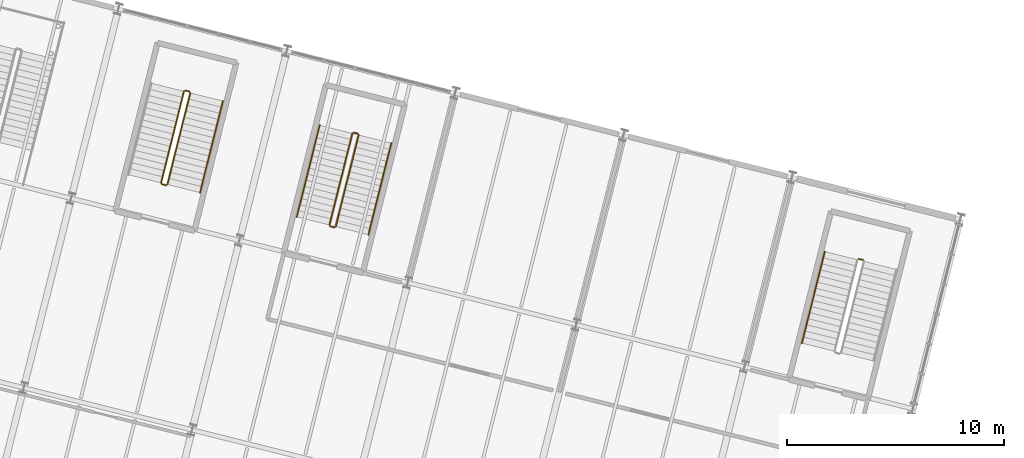
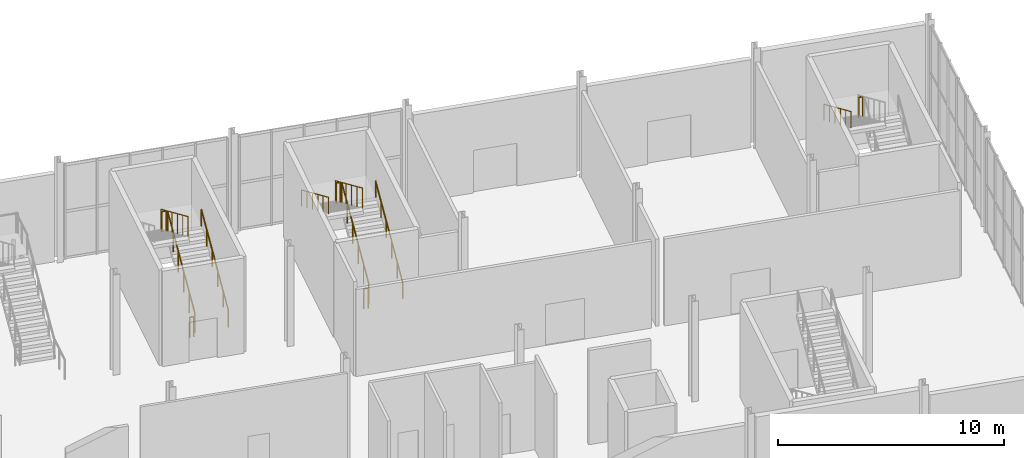
# One storey, part 157 of 158: 13 railings.
"""IFC4 building model written with IfcOpenShell, lengths in metres."""

from ifc_helpers import new_model, si_unit, derived_unit, direction, frame, origin, origin_2d, place, context, subcontext, project, spatial, circle, extrude, material, type_object, element, save


model = new_model("IFC4")

# Units and contexts
model_context = context("Model", 3, precision=1e-05, world=origin(), true_north=direction((0.0, 1.0)))
body_context = subcontext(model_context, "Body", "Model", "MODEL_VIEW")
ifc_project = project(units=[si_unit("LENGTHUNIT", "METRE"), si_unit("AREAUNIT", "SQUARE_METRE"), si_unit("VOLUMEUNIT", "CUBIC_METRE"), si_unit("PLANEANGLEUNIT", "RADIAN"), si_unit("MASSUNIT", "GRAM", prefix="KILO"), si_unit("THERMODYNAMICTEMPERATUREUNIT", "KELVIN"), si_unit("TIMEUNIT", "SECOND"), derived_unit("THERMALTRANSMITTANCEUNIT", [(si_unit("MASSUNIT", "GRAM", prefix="KILO"), 1), (si_unit("THERMODYNAMICTEMPERATUREUNIT", "KELVIN"), -1), (si_unit("TIMEUNIT", "SECOND"), -3)])], contexts=[model_context])

# Site, building, storey
site_placement = place(None, origin())
site = spatial("IfcSite", under=ifc_project, at=site_placement, CompositionType="ELEMENT")
building_placement = place(site_placement, origin())
building = spatial("IfcBuilding", under=site, at=building_placement, Name="Cambertide Market Hall", CompositionType="ELEMENT")
storey_placement = place(building_placement, origin())
storey = spatial("IfcBuildingStorey", under=building, at=storey_placement, Name="L01", CompositionType="ELEMENT", Elevation=0.0)

# Railings
ifc_material_1 = material(Name="Stainless Steel Grade 316", Category="metal")
railing_type_1 = type_object("IfcRailingType", Name="Stair Wall Handrail 900", PredefinedType="HANDRAIL", material=ifc_material_1)
railing_1_placement = place(storey_placement, frame((141.591064453125, 111.908447265625, 0.168701171875)))
element("IfcRailing", 1, at=railing_1_placement, inside=storey, type_object=railing_type_1, Name="Level 1 ST-07B stair handrail 1", PredefinedType="HANDRAIL", context=body_context, shape_type="SweptSolid", body=[
    extrude(circle(Radius=0.02392578125, at=origin_2d()), frame((0.0, 0.0, 0.8759765625), z_axis=(0.209652504363, 0.838513001022, 0.50293317104), x_axis=(-0.970135897123, 0.242562035599, 0.0)), (0.0, 0.0, 1.0), 5.032958984375),
    extrude(circle(Radius=0.02099609375, at=origin_2d()), origin(), (0.0, 0.0, 1.0), 0.851806640625),
    extrude(circle(Radius=0.02099609375, at=origin_2d()), frame((0.2109375, 0.843994140625, 0.50634765625)), (0.0, 0.0, 1.0), 0.851806640625),
    extrude(circle(Radius=0.02099609375, at=origin_2d()), frame((0.422119140625, 1.68798828125, 1.012451171875)), (0.0, 0.0, 1.0), 0.851806640625),
    extrude(circle(Radius=0.02099609375, at=origin_2d()), frame((0.633056640625, 2.5322265625, 1.518798828125)), (0.0, 0.0, 1.0), 0.851806640625),
    extrude(circle(Radius=0.02099609375, at=origin_2d()), frame((0.84423828125, 3.376220703125, 2.02490234375)), (0.0, 0.0, 1.0), 0.851806640625),
    extrude(circle(Radius=0.02099609375, at=origin_2d()), frame((1.05517578125, 4.22021484375, 2.53125)), (0.0, 0.0, 1.0), 0.851806640625),
])
railing_2_placement = place(storey_placement, frame((170.392333984375, 109.192138671875, 2.86865234375)))
element("IfcRailing", 2, at=railing_2_placement, inside=storey, type_object=railing_type_1, Name="Level 1 ST-08B stair handrail 2", PredefinedType="HANDRAIL", context=body_context, shape_type="SweptSolid", body=[
    extrude(circle(Radius=0.02392578125, at=origin_2d()), frame((0.0, 0.0, 0.8759765625), z_axis=(-0.209652504363, -0.838513001022, 0.50293317104), x_axis=(0.970135897123, -0.242562035599, 0.0)), (0.0, 0.0, 1.0), 5.032958984375),
    extrude(circle(Radius=0.02099609375, at=origin_2d()), origin(), (0.0, 0.0, 1.0), 0.851806640625),
    extrude(circle(Radius=0.02099609375, at=origin_2d()), frame((-0.2109375, -0.843994140625, 0.50634765625)), (0.0, 0.0, 1.0), 0.851806640625),
    extrude(circle(Radius=0.02099609375, at=origin_2d()), frame((-0.422119140625, -1.68798828125, 1.012451171875)), (0.0, 0.0, 1.0), 0.851806640625),
    extrude(circle(Radius=0.02099609375, at=origin_2d()), frame((-0.633056640625, -2.5322265625, 1.518798828125)), (0.0, 0.0, 1.0), 0.851806640625),
    extrude(circle(Radius=0.02099609375, at=origin_2d()), frame((-0.84423828125, -3.376220703125, 2.02490234375)), (0.0, 0.0, 1.0), 0.851806640625),
    extrude(circle(Radius=0.02099609375, at=origin_2d()), frame((-1.05517578125, -4.22021484375, 2.53125)), (0.0, 0.0, 1.0), 0.851806640625),
])
railing_3_placement = place(storey_placement, frame((149.352294921875, 109.96826171875, 0.168701171875)))
element("IfcRailing", 3, at=railing_3_placement, inside=storey, type_object=railing_type_1, Name="Level 1 ST-09 stair handrail 1", PredefinedType="HANDRAIL", context=body_context, shape_type="SweptSolid", body=[
    extrude(circle(Radius=0.02392578125, at=origin_2d()), frame((0.0, 0.0, 0.8759765625), z_axis=(0.209661032204, 0.838498598251, 0.502953628387), x_axis=(-0.970132594802, 0.24257524297, 0.0)), (0.0, 0.0, 1.0), 5.03271484375),
    extrude(circle(Radius=0.02099609375, at=origin_2d()), origin(), (0.0, 0.0, 1.0), 0.851806640625),
    extrude(circle(Radius=0.02099609375, at=origin_2d()), frame((0.2109375, 0.843994140625, 0.50634765625)), (0.0, 0.0, 1.0), 0.851806640625),
    extrude(circle(Radius=0.02099609375, at=origin_2d()), frame((0.422119140625, 1.68798828125, 1.012451171875)), (0.0, 0.0, 1.0), 0.851806640625),
    extrude(circle(Radius=0.02099609375, at=origin_2d()), frame((0.633056640625, 2.531982421875, 1.518798828125)), (0.0, 0.0, 1.0), 0.851806640625),
    extrude(circle(Radius=0.02099609375, at=origin_2d()), frame((0.84423828125, 3.3759765625, 2.02490234375)), (0.0, 0.0, 1.0), 0.851806640625),
    extrude(circle(Radius=0.02099609375, at=origin_2d()), frame((1.05517578125, 4.219970703125, 2.53125)), (0.0, 0.0, 1.0), 0.851806640625),
])
railing_4_placement = place(storey_placement, frame((147.10888671875, 115.012939453125, 2.86865234375)))
element("IfcRailing", 4, at=railing_4_placement, inside=storey, type_object=railing_type_1, Name="Level 1 ST-09 stair handrail 2", PredefinedType="HANDRAIL", context=body_context, shape_type="SweptSolid", body=[
    extrude(circle(Radius=0.02392578125, at=origin_2d()), frame((0.0, 0.0, 0.8759765625), z_axis=(-0.209606127579, -0.838521527732, 0.50293828529), x_axis=(0.970149102539, -0.242509213934, 0.0)), (0.0, 0.0, 1.0), 5.032958984375),
    extrude(circle(Radius=0.02099609375, at=origin_2d()), origin(), (0.0, 0.0, 1.0), 0.851806640625),
    extrude(circle(Radius=0.02099609375, at=origin_2d()), frame((-0.2109375, -0.843994140625, 0.50634765625)), (0.0, 0.0, 1.0), 0.851806640625),
    extrude(circle(Radius=0.02099609375, at=origin_2d()), frame((-0.421875, -1.68798828125, 1.012451171875)), (0.0, 0.0, 1.0), 0.851806640625),
    extrude(circle(Radius=0.02099609375, at=origin_2d()), frame((-0.633056640625, -2.5322265625, 1.518798828125)), (0.0, 0.0, 1.0), 0.851806640625),
    extrude(circle(Radius=0.02099609375, at=origin_2d()), frame((-0.843994140625, -3.376220703125, 2.02490234375)), (0.0, 0.0, 1.0), 0.851806640625),
    extrude(circle(Radius=0.02099609375, at=origin_2d()), frame((-1.054931640625, -4.22021484375, 2.53125)), (0.0, 0.0, 1.0), 0.851806640625),
])
ifc_material_2 = material(Name="Stainless Steel Grade 316", Category="metal")
railing_type_2 = type_object("IfcRailingType", Name="Stairwell Inner Guardrail 1100", PredefinedType="GUARDRAIL", material=ifc_material_2)
railing_5_placement = place(storey_placement, frame((140.08740234375, 112.284423828125, 0.168701171875)))
element("IfcRailing", 5, at=railing_5_placement, inside=storey, type_object=railing_type_2, Name="Level 1 ST-07B stair guard 1", PredefinedType="GUARDRAIL", context=body_context, shape_type="SweptSolid", body=[
    extrude(circle(Radius=0.02392578125, at=origin_2d()), frame((0.0, 0.0, 1.076171875), z_axis=(0.209652504363, 0.838513001022, 0.50293317104), x_axis=(-0.970135897123, 0.242562035599, 0.0)), (0.0, 0.0, 1.0), 5.032958984375),
    extrude(circle(Radius=0.02099609375, at=origin_2d()), origin(), (0.0, 0.0, 1.0), 1.052001953125),
    extrude(circle(Radius=0.02099609375, at=origin_2d()), frame((0.2109375, 0.843994140625, 0.50634765625)), (0.0, 0.0, 1.0), 1.052001953125),
    extrude(circle(Radius=0.02099609375, at=origin_2d()), frame((0.422119140625, 1.68798828125, 1.012451171875)), (0.0, 0.0, 1.0), 1.052001953125),
    extrude(circle(Radius=0.02099609375, at=origin_2d()), frame((0.633056640625, 2.5322265625, 1.518798828125)), (0.0, 0.0, 1.0), 1.052001953125),
    extrude(circle(Radius=0.02099609375, at=origin_2d()), frame((0.84423828125, 3.376220703125, 2.02490234375)), (0.0, 0.0, 1.0), 1.052001953125),
    extrude(circle(Radius=0.02099609375, at=origin_2d()), frame((1.05517578125, 4.22021484375, 2.53125)), (0.0, 0.0, 1.0), 1.052001953125),
])
railing_6_placement = place(storey_placement, frame((141.106201171875, 116.565185546875, 2.699951171875)))
element("IfcRailing", 6, at=railing_6_placement, inside=storey, type_object=railing_type_2, Name="Level 1 ST-07B stair guard 2", PredefinedType="GUARDRAIL", context=body_context, shape_type="SweptSolid", body=[
    extrude(circle(Radius=0.02392578125, at=origin_2d()), frame((0.0, 0.0, 1.076171875), z_axis=(-0.970070680326, 0.242822723755, 0.0), x_axis=(-0.242822723755, -0.970070680326, 0.0)), (0.0, 0.0, 1.0), 0.2001953125),
    extrude(circle(Radius=0.02099609375, at=origin_2d()), origin(), (0.0, 0.0, 1.0), 1.052001953125),
    extrude(circle(Radius=0.02099609375, at=origin_2d()), frame((-0.194091796875, 0.048583984375, 0.0)), (0.0, 0.0, 1.0), 1.052001953125),
])
railing_7_placement = place(storey_placement, frame((140.8515625, 116.577392578125, 2.86865234375)))
element("IfcRailing", 7, at=railing_7_placement, inside=storey, type_object=railing_type_2, Name="Level 1 ST-07B stair guard 3", PredefinedType="GUARDRAIL", context=body_context, shape_type="SweptSolid", body=[
    extrude(circle(Radius=0.02392578125, at=origin_2d()), frame((0.0, 0.0, 1.076171875), z_axis=(-0.209652504363, -0.838513001022, 0.50293317104), x_axis=(0.970135897123, -0.242562035599, 0.0)), (0.0, 0.0, 1.0), 5.032958984375),
    extrude(circle(Radius=0.02099609375, at=origin_2d()), origin(), (0.0, 0.0, 1.0), 1.052001953125),
    extrude(circle(Radius=0.02099609375, at=origin_2d()), frame((-0.2109375, -0.843994140625, 0.50634765625)), (0.0, 0.0, 1.0), 1.052001953125),
    extrude(circle(Radius=0.02099609375, at=origin_2d()), frame((-0.422119140625, -1.68798828125, 1.012451171875)), (0.0, 0.0, 1.0), 1.052001953125),
    extrude(circle(Radius=0.02099609375, at=origin_2d()), frame((-0.633056640625, -2.5322265625, 1.518798828125)), (0.0, 0.0, 1.0), 1.052001953125),
    extrude(circle(Radius=0.02099609375, at=origin_2d()), frame((-0.84423828125, -3.376220703125, 2.02490234375)), (0.0, 0.0, 1.0), 1.052001953125),
    extrude(circle(Radius=0.02099609375, at=origin_2d()), frame((-1.05517578125, -4.22021484375, 2.53125)), (0.0, 0.0, 1.0), 1.052001953125),
])
for number, where, name in (
    (8, (140.02685546875, 112.248046875, 0.0), "Level 1 ST-07B stair guard 4"),
    (9, (172.150634765625, 108.803955078125, 2.699951171875), "Level 1 ST-08B stair guard 2"),
):
    element("IfcRailing", number, at=place(storey_placement, frame(where)), inside=storey, type_object=railing_type_2, Name=name, PredefinedType="GUARDRAIL", context=body_context, shape_type="SweptSolid", body=[
        extrude(circle(Radius=0.02392578125, at=origin_2d()), frame((0.0, 0.0, 1.076171875), z_axis=(-0.970070680326, 0.242822723755, 0.0), x_axis=(-0.242822723755, -0.970070680326, 0.0)), (0.0, 0.0, 1.0), 0.2001953125),
        extrude(circle(Radius=0.02099609375, at=origin_2d()), origin(), (0.0, 0.0, 1.0), 1.052001953125),
        extrude(circle(Radius=0.02099609375, at=origin_2d()), frame((-0.194091796875, 0.048583984375, 0.0)), (0.0, 0.0, 1.0), 1.052001953125),
    ])
railing_8_placement = place(storey_placement, frame((147.8486328125, 110.34423828125, 0.168701171875)))
element("IfcRailing", 10, at=railing_8_placement, inside=storey, type_object=railing_type_2, Name="Level 1 ST-09 stair guard 1", PredefinedType="GUARDRAIL", context=body_context, shape_type="SweptSolid", body=[
    extrude(circle(Radius=0.02392578125, at=origin_2d()), frame((0.0, 0.0, 1.076171875), z_axis=(0.209614653707, 0.838507125508, 0.502958743261), x_axis=(-0.970145801612, 0.242522418789, 0.0)), (0.0, 0.0, 1.0), 5.03271484375),
    extrude(circle(Radius=0.02099609375, at=origin_2d()), origin(), (0.0, 0.0, 1.0), 1.052001953125),
    extrude(circle(Radius=0.02099609375, at=origin_2d()), frame((0.2109375, 0.843994140625, 0.50634765625)), (0.0, 0.0, 1.0), 1.052001953125),
    extrude(circle(Radius=0.02099609375, at=origin_2d()), frame((0.421875, 1.68798828125, 1.012451171875)), (0.0, 0.0, 1.0), 1.052001953125),
    extrude(circle(Radius=0.02099609375, at=origin_2d()), frame((0.633056640625, 2.531982421875, 1.518798828125)), (0.0, 0.0, 1.0), 1.052001953125),
    extrude(circle(Radius=0.02099609375, at=origin_2d()), frame((0.843994140625, 3.3759765625, 2.02490234375)), (0.0, 0.0, 1.0), 1.052001953125),
    extrude(circle(Radius=0.02099609375, at=origin_2d()), frame((1.054931640625, 4.219970703125, 2.53125)), (0.0, 0.0, 1.0), 1.052001953125),
])
railing_9_placement = place(storey_placement, frame((148.8671875, 114.625, 2.699951171875)))
element("IfcRailing", 11, at=railing_9_placement, inside=storey, type_object=railing_type_2, Name="Level 1 ST-09 stair guard 2", PredefinedType="GUARDRAIL", context=body_context, shape_type="SweptSolid", body=[
    extrude(circle(Radius=0.02392578125, at=origin_2d()), frame((0.0, 0.0, 1.076171875), z_axis=(-0.970286097091, 0.241960512877, 0.0), x_axis=(-0.241960512877, -0.970286097091, 0.0)), (0.0, 0.0, 1.0), 0.19970703125),
    extrude(circle(Radius=0.02099609375, at=origin_2d()), origin(), (0.0, 0.0, 1.0), 1.052001953125),
    extrude(circle(Radius=0.02099609375, at=origin_2d()), frame((-0.19384765625, 0.04833984375, 0.0)), (0.0, 0.0, 1.0), 1.052001953125),
])
railing_10_placement = place(storey_placement, frame((148.612548828125, 114.636962890625, 2.86865234375)))
element("IfcRailing", 12, at=railing_10_placement, inside=storey, type_object=railing_type_2, Name="Level 1 ST-09 stair guard 3", PredefinedType="GUARDRAIL", context=body_context, shape_type="SweptSolid", body=[
    extrude(circle(Radius=0.02392578125, at=origin_2d()), frame((0.0, 0.0, 1.076171875), z_axis=(-0.209614653707, -0.838507125508, 0.502958743261), x_axis=(0.970145801612, -0.242522418789, 0.0)), (0.0, 0.0, 1.0), 5.03271484375),
    extrude(circle(Radius=0.02099609375, at=origin_2d()), origin(), (0.0, 0.0, 1.0), 1.052001953125),
    extrude(circle(Radius=0.02099609375, at=origin_2d()), frame((-0.2109375, -0.843994140625, 0.50634765625)), (0.0, 0.0, 1.0), 1.052001953125),
    extrude(circle(Radius=0.02099609375, at=origin_2d()), frame((-0.421875, -1.68798828125, 1.012451171875)), (0.0, 0.0, 1.0), 1.052001953125),
    extrude(circle(Radius=0.02099609375, at=origin_2d()), frame((-0.633056640625, -2.531982421875, 1.518798828125)), (0.0, 0.0, 1.0), 1.052001953125),
    extrude(circle(Radius=0.02099609375, at=origin_2d()), frame((-0.843994140625, -3.3759765625, 2.02490234375)), (0.0, 0.0, 1.0), 1.052001953125),
    extrude(circle(Radius=0.02099609375, at=origin_2d()), frame((-1.054931640625, -4.219970703125, 2.53125)), (0.0, 0.0, 1.0), 1.052001953125),
])
railing_11_placement = place(storey_placement, frame((147.7880859375, 110.307861328125, 0.0)))
element("IfcRailing", 13, at=railing_11_placement, inside=storey, type_object=railing_type_2, Name="Level 1 ST-09 stair guard 4", PredefinedType="GUARDRAIL", context=body_context, shape_type="SweptSolid", body=[
    extrude(circle(Radius=0.02392578125, at=origin_2d()), frame((0.0, 0.0, 1.076171875), z_axis=(-0.970357513234, 0.241673946692, 0.0), x_axis=(-0.241673946692, -0.970357513234, 0.0)), (0.0, 0.0, 1.0), 0.199951171875),
    extrude(circle(Radius=0.02099609375, at=origin_2d()), origin(), (0.0, 0.0, 1.0), 1.052001953125),
    extrude(circle(Radius=0.02099609375, at=origin_2d()), frame((-0.194091796875, 0.04833984375, 0.0)), (0.0, 0.0, 1.0), 1.052001953125),
])

save(model, "model.ifc")
